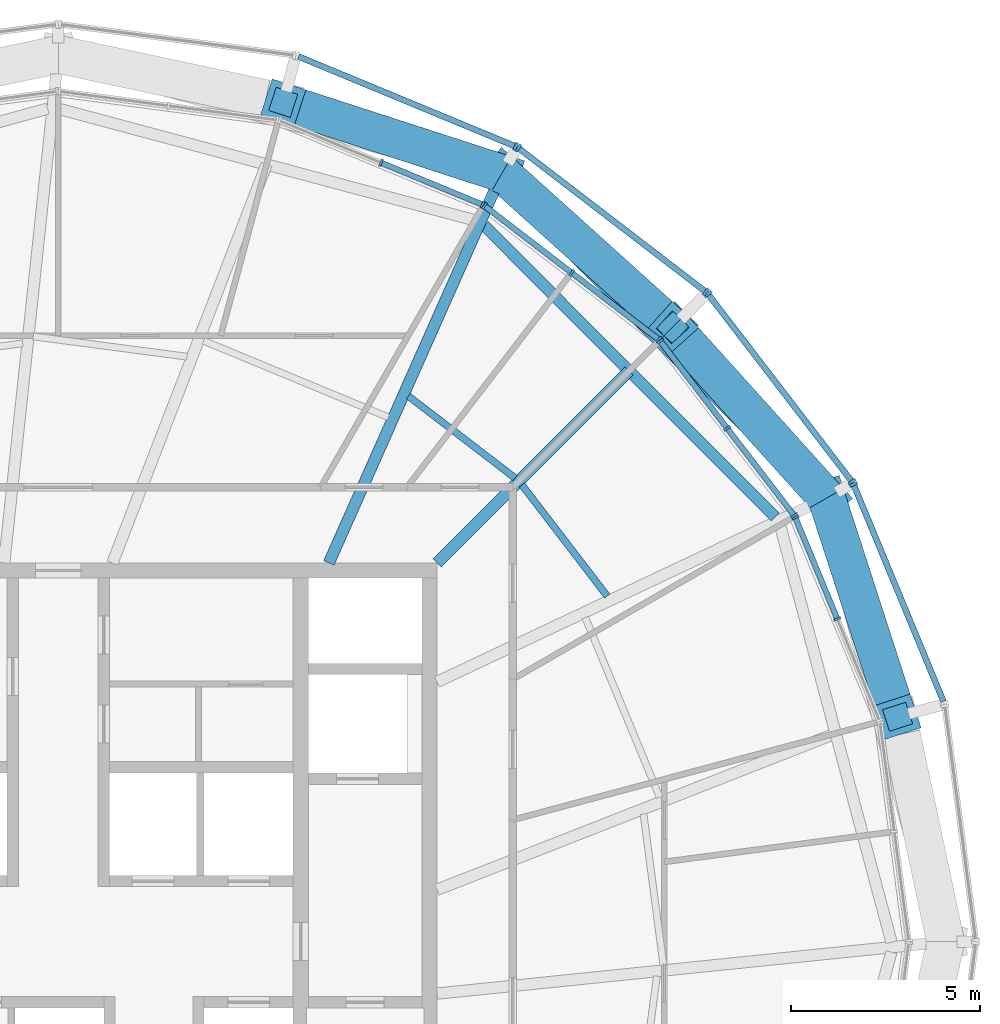
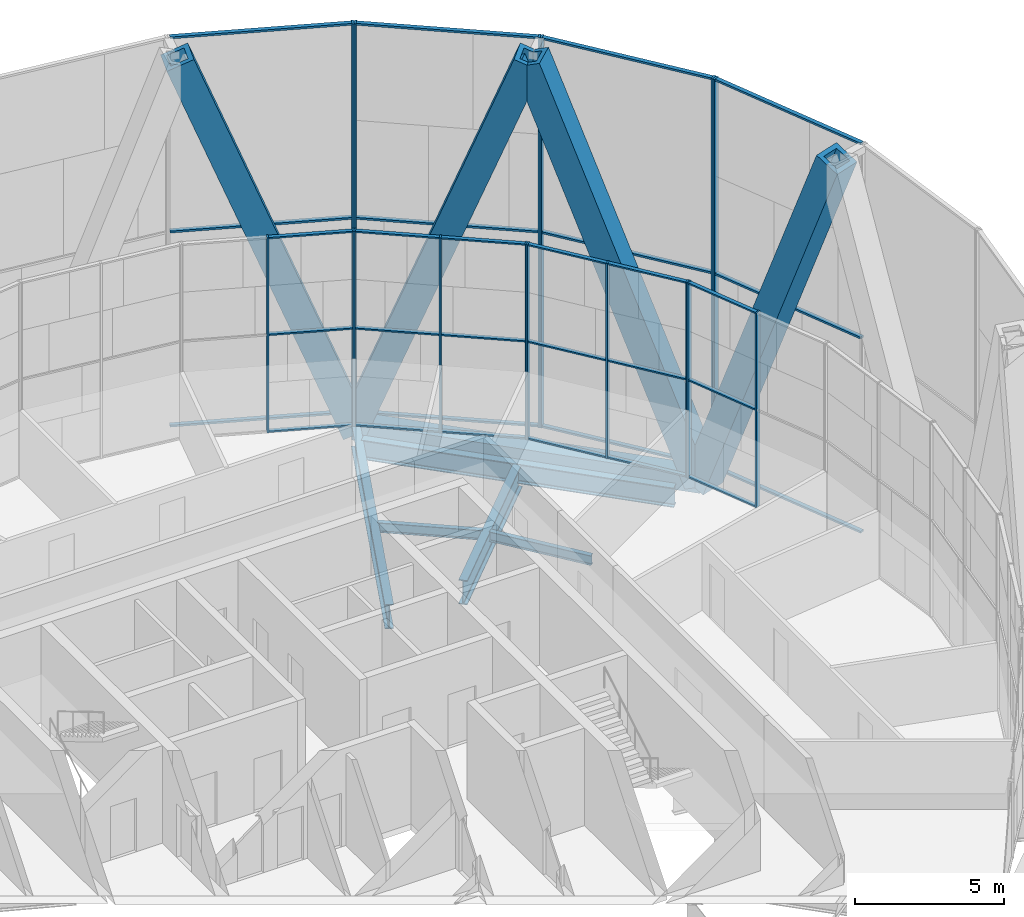
# One storey, part 8 of 22: 50 members, 6 beams, 8 elements without a shape of their own.
"""IFC4 building model written with IfcOpenShell, lengths in metres."""

from ifc_helpers import new_model, si_unit, direction, frame, origin, origin_2d, place, context, subcontext, project, spatial, rectangle, hollow_rectangle, i_section, extrude, material, material_profile, profile_set, type_object, element, aggregate, save


model = new_model("IFC4")

# Units and contexts
model_context = context("Model", 3, precision=1e-05, world=origin(), true_north=direction((0.0, 1.0)))
body_context = subcontext(model_context, "Body", "Model", "MODEL_VIEW")
ifc_project = project(units=[si_unit("LENGTHUNIT", "METRE"), si_unit("AREAUNIT", "SQUARE_METRE"), si_unit("VOLUMEUNIT", "CUBIC_METRE"), si_unit("PLANEANGLEUNIT", "RADIAN"), si_unit("MASSUNIT", "GRAM", prefix="KILO")], contexts=[model_context])

# Site, building, storey
site_placement = place(None, origin())
site = spatial("IfcSite", under=ifc_project, at=site_placement, CompositionType="ELEMENT")
building_placement = place(site_placement, origin())
building = spatial("IfcBuilding", under=site, at=building_placement, Name="Golbaran Civic Tower", CompositionType="ELEMENT")
storey_placement = place(building_placement, frame((0.0, 0.0, 248.0)))
storey = spatial("IfcBuildingStorey", under=building, at=storey_placement, Name="L60", CompositionType="ELEMENT", Elevation=248.0)

# Members
ifc_material_1 = material(Name="Steel S355", Category="steel")
ifc_material_profile_1 = material_profile(ifc_material_1, hollow_rectangle(XDim=1.0, YDim=1.0, WallThickness=0.179931640625, at=origin_2d()), Name="BOX 1000x1000x180")
ifc_profile_set_1 = profile_set([ifc_material_profile_1], Name="Steel S355")
member_type_1 = type_object("IfcMemberType", Name="DIAGRID DIAGONAL BOX 1000x1000x180", PredefinedType="BRACE", material=ifc_profile_set_1)
for number, where, z_axis, x_axis, name in (
    (1, (20.284912109375, 11.71142578125, -0.7099609375), (-0.237551283293, 0.263444958098, 0.934968524528), (-0.742661884104, -0.669666578156, 0.0), "Diagonal D14-01R L60-L64"),
    (2, (20.284912109375, 11.71142578125, -0.7099609375), (0.109367082262, -0.337445812256, 0.934970141292), (0.951284682379, 0.30831388725, 0.0), "Diagonal D14-01L L60-L64"),
    (3, (11.71142578125, 20.284912109375, -0.7099609375), (-0.337445812256, 0.109367082262, 0.934970141292), (-0.30831388725, -0.951284682379, 0.0), "Diagonal D14-02R L60-L64"),
    (4, (11.71142578125, 20.284912109375, -0.7099609375), (0.263444958098, -0.237551283293, 0.934968524528), (0.669666578156, 0.742661884104, 0.0), "Diagonal D14-02L L60-L64"),
):
    element("IfcMember", number, at=place(storey_placement, frame(where, z_axis=z_axis, x_axis=x_axis)), inside=storey, type_object=member_type_1, Name=name, PredefinedType="BRACE", context=body_context, shape_type="SweptSolid", body=[
        extrude(hollow_rectangle(XDim=1.0, YDim=1.0, WallThickness=0.179931640625, at=origin_2d()), origin(), (0.0, 0.0, 1.0), 17.11279296875),
    ])

# Beams
ifc_material_profile_2 = material_profile(ifc_material_1, hollow_rectangle(XDim=0.699951171875, YDim=0.699951171875, WallThickness=0.080078125, at=origin_2d()), Name="BOX 700x700x80")
ifc_profile_set_2 = profile_set([ifc_material_profile_2], Name="Steel S355")
beam_type_1 = type_object("IfcBeamType", Name="DIAGRID RING TIE BOX 700x700x80", PredefinedType="BEAM", material=ifc_profile_set_2)
beam_1_placement = place(storey_placement, frame((20.284912109375, 11.71142578125, -0.7099609375), z_axis=(-0.707106781187, 0.707106781187, 0.0), x_axis=(-0.707106781187, -0.707106781187, 0.0)))
element("IfcBeam", 5, at=beam_1_placement, inside=storey, type_object=beam_type_1, Name="Ring tie 30.00 L60", PredefinedType="BEAM", context=body_context, shape_type="SweptSolid", body=[
    extrude(hollow_rectangle(XDim=0.699951171875, YDim=0.699951171875, WallThickness=0.080078125, at=origin_2d()), origin(), (0.0, 0.0, 1.0), 12.124755859375),
])
ifc_material_profile_3 = material_profile(ifc_material_1, i_section(OverallWidth=0.300048828125, OverallDepth=0.800048828125, WebThickness=0.017578125, FlangeThickness=0.032958984375, FilletRadius=0.030029296875, at=origin_2d()), Name="HEB 800")
ifc_profile_set_3 = profile_set([ifc_material_profile_3], Name="Steel S355")
beam_type_2 = type_object("IfcBeamType", Name="EDGE BEAM HEB 800", PredefinedType="BEAM", material=ifc_profile_set_3)
beam_2_placement = place(storey_placement, frame((18.9228515625, 11.21240234375, -0.60009765625), z_axis=(-0.70659009574, 0.707623089365, 0.0), x_axis=(-0.707623089365, -0.70659009574, 0.0)))
element("IfcBeam", 6, at=beam_2_placement, inside=storey, type_object=beam_type_2, Name="Edge beam 30.00 L60", PredefinedType="BEAM", context=body_context, shape_type="SweptSolid", body=[
    extrude(i_section(OverallWidth=0.300048828125, OverallDepth=0.800048828125, WebThickness=0.017578125, FlangeThickness=0.032958984375, FilletRadius=0.030029296875, at=origin_2d()), origin(), (0.0, 0.0, 1.0), 10.871826171875),
])
ifc_material_profile_4 = material_profile(ifc_material_1, i_section(OverallWidth=0.179931640625, OverallDepth=0.39990234375, WebThickness=0.008544921875, FlangeThickness=0.013427734375, FilletRadius=0.02099609375, at=origin_2d()), Name="IPE 400")
ifc_profile_set_4 = profile_set([ifc_material_profile_4], Name="Steel S355")
beam_type_3 = type_object("IfcBeamType", Name="FLOOR INFILL BEAM IPE 400", PredefinedType="BEAM", material=ifc_profile_set_4)
beam_3_placement = place(storey_placement, frame((14.491943359375, 9.12109375, -0.39990234375), z_axis=(-0.608801399042, 0.793322668606, 0.0), x_axis=(-0.793322668606, -0.608801399042, 0.0)))
element("IfcBeam", 7, at=beam_3_placement, inside=storey, type_object=beam_type_3, Name="Infill beam 37.50 L60", PredefinedType="BEAM", context=body_context, shape_type="SweptSolid", body=[
    extrude(i_section(OverallWidth=0.179931640625, OverallDepth=0.39990234375, WebThickness=0.008544921875, FlangeThickness=0.013427734375, FilletRadius=0.02099609375, at=origin_2d()), origin(), (0.0, 0.0, 1.0), 3.699462890625),
])
beam_4_placement = place(storey_placement, frame((12.057373046875, 12.2412109375, -0.39990234375), z_axis=(-0.793341764816, 0.608776514165, 0.0), x_axis=(-0.608776514165, -0.793341764816, 0.0)))
element("IfcBeam", 8, at=beam_4_placement, inside=storey, type_object=beam_type_3, Name="Infill beam 52.50 L60", PredefinedType="BEAM", context=body_context, shape_type="SweptSolid", body=[
    extrude(i_section(OverallWidth=0.179931640625, OverallDepth=0.39990234375, WebThickness=0.008544921875, FlangeThickness=0.013427734375, FilletRadius=0.02099609375, at=origin_2d()), origin(), (0.0, 0.0, 1.0), 3.55029296875),
])

# Curtain wall, members
ifc_material_2 = material(Name="Aluminium and glass", Category="aluminium")
curtain_wall_type_1 = type_object("IfcCurtainWallType", Name="INNER SKIN CURTAIN WALL EXECUTIVE", PredefinedType="NOTDEFINED", material=ifc_material_2)
curtain_wall_1_placement = place(storey_placement, origin())
curtain_wall_1 = element("IfcCurtainWall", 9, at=curtain_wall_1_placement, inside=storey, type_object=curtain_wall_type_1, Name="Inner skin L60 facet 2 CW2", ObjectType="INNER SKIN", PredefinedType="USERDEFINED")
ifc_material_3 = material(Name="Aluminium", Category="aluminium")
ifc_material_profile_5 = material_profile(ifc_material_3, rectangle(XDim=0.199951171875, YDim=0.06005859375, at=origin_2d()), Name="INNER SKIN CURTAIN WALL EXECUTIVE MULLION")
ifc_profile_set_5 = profile_set([ifc_material_profile_5], Name="Aluminium")
member_type_2 = type_object("IfcMemberType", Name="INNER SKIN CURTAIN WALL EXECUTIVE MULLION", PredefinedType="MULLION", material=ifc_profile_set_5)
member_1_placement = place(storey_placement, frame((20.5654296875, 8.5185546875, 0.0), z_axis=(0.0, 0.0, 1.0), x_axis=(-0.923879532505, -0.382683432381, 0.0)))
member_1 = element("IfcMember", 10, at=member_1_placement, type_object=member_type_2, Name="CW2 mullion 2", PredefinedType="MULLION", context=body_context, shape_type="SweptSolid", body=[
    extrude(rectangle(XDim=0.199951171875, YDim=0.06005859375, at=origin_2d()), origin(), (0.0, 0.0, 1.0), 8.0),
])
member_2_placement = place(storey_placement, frame((19.45556640625, 11.1982421875, 0.0), z_axis=(0.0, 0.0, 1.0), x_axis=(-0.923879532505, -0.382683432381, 0.0)))
member_2 = element("IfcMember", 11, at=member_2_placement, type_object=member_type_2, Name="CW2 mullion 3", PredefinedType="MULLION", context=body_context, shape_type="SweptSolid", body=[
    extrude(rectangle(XDim=0.199951171875, YDim=0.06005859375, at=origin_2d()), origin(), (0.0, 0.0, 1.0), 8.0),
])

curtain_wall_2_placement = place(storey_placement, origin())
curtain_wall_2 = element("IfcCurtainWall", 12, at=curtain_wall_2_placement, inside=storey, type_object=curtain_wall_type_1, Name="Inner skin L60 facet 3 CW2", ObjectType="INNER SKIN", PredefinedType="USERDEFINED")
member_3_placement = place(storey_placement, frame((19.42578125, 11.249755859375, 0.0), z_axis=(0.0, 0.0, 1.0), x_axis=(-0.793353340238, -0.608761429078, 0.0)))
member_3 = element("IfcMember", 13, at=member_3_placement, type_object=member_type_2, Name="CW2 mullion 1", PredefinedType="MULLION", context=body_context, shape_type="SweptSolid", body=[
    extrude(rectangle(XDim=0.199951171875, YDim=0.06005859375, at=origin_2d()), origin(), (0.0, 0.0, 1.0), 8.0),
])
member_4_placement = place(storey_placement, frame((17.659912109375, 13.551025390625, 0.0), z_axis=(0.0, 0.0, 1.0), x_axis=(-0.793353340238, -0.608761429078, 0.0)))
member_4 = element("IfcMember", 14, at=member_4_placement, type_object=member_type_2, Name="CW2 mullion 2", PredefinedType="MULLION", context=body_context, shape_type="SweptSolid", body=[
    extrude(rectangle(XDim=0.199951171875, YDim=0.06005859375, at=origin_2d()), origin(), (0.0, 0.0, 1.0), 8.0),
])
member_5_placement = place(storey_placement, frame((15.894287109375, 15.85205078125, 0.0), z_axis=(0.0, 0.0, 1.0), x_axis=(-0.793353340238, -0.608761429078, 0.0)))
member_5 = element("IfcMember", 15, at=member_5_placement, type_object=member_type_2, Name="CW2 mullion 3", PredefinedType="MULLION", context=body_context, shape_type="SweptSolid", body=[
    extrude(rectangle(XDim=0.199951171875, YDim=0.06005859375, at=origin_2d()), origin(), (0.0, 0.0, 1.0), 8.0),
])

curtain_wall_3_placement = place(storey_placement, origin())
curtain_wall_3 = element("IfcCurtainWall", 16, at=curtain_wall_3_placement, inside=storey, type_object=curtain_wall_type_1, Name="Inner skin L60 facet 4 CW2", ObjectType="INNER SKIN", PredefinedType="USERDEFINED")
member_6_placement = place(storey_placement, frame((15.85205078125, 15.894287109375, 0.0), z_axis=(0.0, 0.0, 1.0), x_axis=(-0.608761429078, -0.793353340238, 0.0)))
member_6 = element("IfcMember", 17, at=member_6_placement, type_object=member_type_2, Name="CW2 mullion 1", PredefinedType="MULLION", context=body_context, shape_type="SweptSolid", body=[
    extrude(rectangle(XDim=0.199951171875, YDim=0.06005859375, at=origin_2d()), origin(), (0.0, 0.0, 1.0), 8.0),
])
member_7_placement = place(storey_placement, frame((13.551025390625, 17.659912109375, 0.0), z_axis=(0.0, 0.0, 1.0), x_axis=(-0.608761429078, -0.793353340238, 0.0)))
member_7 = element("IfcMember", 18, at=member_7_placement, type_object=member_type_2, Name="CW2 mullion 2", PredefinedType="MULLION", context=body_context, shape_type="SweptSolid", body=[
    extrude(rectangle(XDim=0.199951171875, YDim=0.06005859375, at=origin_2d()), origin(), (0.0, 0.0, 1.0), 8.0),
])
member_8_placement = place(storey_placement, frame((11.249755859375, 19.42578125, 0.0), z_axis=(0.0, 0.0, 1.0), x_axis=(-0.608761429078, -0.793353340238, 0.0)))
member_8 = element("IfcMember", 19, at=member_8_placement, type_object=member_type_2, Name="CW2 mullion 3", PredefinedType="MULLION", context=body_context, shape_type="SweptSolid", body=[
    extrude(rectangle(XDim=0.199951171875, YDim=0.06005859375, at=origin_2d()), origin(), (0.0, 0.0, 1.0), 8.0),
])

curtain_wall_4_placement = place(storey_placement, origin())
curtain_wall_4 = element("IfcCurtainWall", 20, at=curtain_wall_4_placement, inside=storey, type_object=curtain_wall_type_1, Name="Inner skin L60 facet 5 CW2", ObjectType="INNER SKIN", PredefinedType="USERDEFINED")
member_9_placement = place(storey_placement, frame((11.1982421875, 19.45556640625, 0.0), z_axis=(0.0, 0.0, 1.0), x_axis=(-0.382683432381, -0.923879532505, 0.0)))
member_9 = element("IfcMember", 21, at=member_9_placement, type_object=member_type_2, Name="CW2 mullion 1", PredefinedType="MULLION", context=body_context, shape_type="SweptSolid", body=[
    extrude(rectangle(XDim=0.199951171875, YDim=0.06005859375, at=origin_2d()), origin(), (0.0, 0.0, 1.0), 8.0),
])
member_10_placement = place(storey_placement, frame((8.5185546875, 20.5654296875, 0.0), z_axis=(0.0, 0.0, 1.0), x_axis=(-0.382683432381, -0.923879532505, 0.0)))
member_10 = element("IfcMember", 22, at=member_10_placement, type_object=member_type_2, Name="CW2 mullion 2", PredefinedType="MULLION", context=body_context, shape_type="SweptSolid", body=[
    extrude(rectangle(XDim=0.199951171875, YDim=0.06005859375, at=origin_2d()), origin(), (0.0, 0.0, 1.0), 8.0),
])

# Member
ifc_material_profile_6 = material_profile(ifc_material_3, rectangle(XDim=0.14990234375, YDim=0.06005859375, at=origin_2d()), Name="INNER SKIN CURTAIN WALL EXECUTIVE TRANSOM")
ifc_profile_set_6 = profile_set([ifc_material_profile_6], Name="Aluminium")
member_type_3 = type_object("IfcMemberType", Name="INNER SKIN CURTAIN WALL EXECUTIVE TRANSOM", PredefinedType="USERDEFINED", material=ifc_profile_set_6)
member_11_placement = place(storey_placement, frame((20.553955078125, 8.546142578125, 0.030029296875), z_axis=(-0.382625053438, 0.923903711694, 0.0), x_axis=(-0.923903711694, -0.382625053438, 0.0)))
member_11 = element("IfcMember", 23, at=member_11_placement, type_object=member_type_3, Name="CW2 transom 2.1", ObjectType="TRANSOM", PredefinedType="USERDEFINED", context=body_context, shape_type="SweptSolid", body=[
    extrude(rectangle(XDim=0.14990234375, YDim=0.06005859375, at=origin_2d()), origin(), (0.0, 0.0, 1.0), 2.840576171875),
])

member_12_placement = place(storey_placement, frame((20.553955078125, 8.546142578125, 4.0), z_axis=(-0.382625053438, 0.923903711694, 0.0), x_axis=(-0.923903711694, -0.382625053438, 0.0)))
member_12 = element("IfcMember", 24, at=member_12_placement, type_object=member_type_3, Name="CW2 transom 2.2", ObjectType="TRANSOM", PredefinedType="USERDEFINED", context=body_context, shape_type="SweptSolid", body=[
    extrude(rectangle(XDim=0.14990234375, YDim=0.06005859375, at=origin_2d()), origin(), (0.0, 0.0, 1.0), 2.840576171875),
])

member_13_placement = place(storey_placement, frame((20.553955078125, 8.546142578125, 7.969970703125), z_axis=(-0.382625053438, 0.923903711694, 0.0), x_axis=(-0.923903711694, -0.382625053438, 0.0)))
member_13 = element("IfcMember", 25, at=member_13_placement, type_object=member_type_3, Name="CW2 transom 2.3", ObjectType="TRANSOM", PredefinedType="USERDEFINED", context=body_context, shape_type="SweptSolid", body=[
    extrude(rectangle(XDim=0.14990234375, YDim=0.06005859375, at=origin_2d()), origin(), (0.0, 0.0, 1.0), 2.840576171875),
])

aggregate(curtain_wall_1, [member_1, member_2, member_11, member_12, member_13])

member_14_placement = place(storey_placement, frame((19.407470703125, 11.273681640625, 0.030029296875), z_axis=(-0.608792367533, 0.793329599368, 0.0), x_axis=(-0.793329599368, -0.608792367533, 0.0)))
member_14 = element("IfcMember", 26, at=member_14_placement, type_object=member_type_3, Name="CW2 transom 1.1", ObjectType="TRANSOM", PredefinedType="USERDEFINED", context=body_context, shape_type="SweptSolid", body=[
    extrude(rectangle(XDim=0.14990234375, YDim=0.06005859375, at=origin_2d()), origin(), (0.0, 0.0, 1.0), 2.840576171875),
])

member_15_placement = place(storey_placement, frame((19.407470703125, 11.273681640625, 4.0), z_axis=(-0.608792367533, 0.793329599368, 0.0), x_axis=(-0.793329599368, -0.608792367533, 0.0)))
member_15 = element("IfcMember", 27, at=member_15_placement, type_object=member_type_3, Name="CW2 transom 1.2", ObjectType="TRANSOM", PredefinedType="USERDEFINED", context=body_context, shape_type="SweptSolid", body=[
    extrude(rectangle(XDim=0.14990234375, YDim=0.06005859375, at=origin_2d()), origin(), (0.0, 0.0, 1.0), 2.840576171875),
])

member_16_placement = place(storey_placement, frame((19.407470703125, 11.273681640625, 7.969970703125), z_axis=(-0.608792367533, 0.793329599368, 0.0), x_axis=(-0.793329599368, -0.608792367533, 0.0)))
member_16 = element("IfcMember", 28, at=member_16_placement, type_object=member_type_3, Name="CW2 transom 1.3", ObjectType="TRANSOM", PredefinedType="USERDEFINED", context=body_context, shape_type="SweptSolid", body=[
    extrude(rectangle(XDim=0.14990234375, YDim=0.06005859375, at=origin_2d()), origin(), (0.0, 0.0, 1.0), 2.840576171875),
])

member_17_placement = place(storey_placement, frame((17.6416015625, 13.57470703125, 0.030029296875), z_axis=(-0.608696757251, 0.793402960489, 0.0), x_axis=(-0.793402960489, -0.608696757251, 0.0)))
member_17 = element("IfcMember", 29, at=member_17_placement, type_object=member_type_3, Name="CW2 transom 2.1", ObjectType="TRANSOM", PredefinedType="USERDEFINED", context=body_context, shape_type="SweptSolid", body=[
    extrude(rectangle(XDim=0.14990234375, YDim=0.06005859375, at=origin_2d()), origin(), (0.0, 0.0, 1.0), 2.840576171875),
])

member_18_placement = place(storey_placement, frame((17.6416015625, 13.57470703125, 4.0), z_axis=(-0.608696757251, 0.793402960489, 0.0), x_axis=(-0.793402960489, -0.608696757251, 0.0)))
member_18 = element("IfcMember", 30, at=member_18_placement, type_object=member_type_3, Name="CW2 transom 2.2", ObjectType="TRANSOM", PredefinedType="USERDEFINED", context=body_context, shape_type="SweptSolid", body=[
    extrude(rectangle(XDim=0.14990234375, YDim=0.06005859375, at=origin_2d()), origin(), (0.0, 0.0, 1.0), 2.840576171875),
])

member_19_placement = place(storey_placement, frame((17.6416015625, 13.57470703125, 7.969970703125), z_axis=(-0.608696757251, 0.793402960489, 0.0), x_axis=(-0.793402960489, -0.608696757251, 0.0)))
member_19 = element("IfcMember", 31, at=member_19_placement, type_object=member_type_3, Name="CW2 transom 2.3", ObjectType="TRANSOM", PredefinedType="USERDEFINED", context=body_context, shape_type="SweptSolid", body=[
    extrude(rectangle(XDim=0.14990234375, YDim=0.06005859375, at=origin_2d()), origin(), (0.0, 0.0, 1.0), 2.840576171875),
])

aggregate(curtain_wall_2, [member_3, member_4, member_5, member_14, member_15, member_16, member_17, member_18, member_19])

member_20_placement = place(storey_placement, frame((15.828369140625, 15.91259765625, 0.030029296875), z_axis=(-0.793402960489, 0.608696757251, 0.0), x_axis=(-0.608696757251, -0.793402960489, 0.0)))
member_20 = element("IfcMember", 32, at=member_20_placement, type_object=member_type_3, Name="CW2 transom 1.1", ObjectType="TRANSOM", PredefinedType="USERDEFINED", context=body_context, shape_type="SweptSolid", body=[
    extrude(rectangle(XDim=0.14990234375, YDim=0.06005859375, at=origin_2d()), origin(), (0.0, 0.0, 1.0), 2.840576171875),
])

member_21_placement = place(storey_placement, frame((15.828369140625, 15.91259765625, 4.0), z_axis=(-0.793402960489, 0.608696757251, 0.0), x_axis=(-0.608696757251, -0.793402960489, 0.0)))
member_21 = element("IfcMember", 33, at=member_21_placement, type_object=member_type_3, Name="CW2 transom 1.2", ObjectType="TRANSOM", PredefinedType="USERDEFINED", context=body_context, shape_type="SweptSolid", body=[
    extrude(rectangle(XDim=0.14990234375, YDim=0.06005859375, at=origin_2d()), origin(), (0.0, 0.0, 1.0), 2.840576171875),
])

member_22_placement = place(storey_placement, frame((15.828369140625, 15.91259765625, 7.969970703125), z_axis=(-0.793402960489, 0.608696757251, 0.0), x_axis=(-0.608696757251, -0.793402960489, 0.0)))
member_22 = element("IfcMember", 34, at=member_22_placement, type_object=member_type_3, Name="CW2 transom 1.3", ObjectType="TRANSOM", PredefinedType="USERDEFINED", context=body_context, shape_type="SweptSolid", body=[
    extrude(rectangle(XDim=0.14990234375, YDim=0.06005859375, at=origin_2d()), origin(), (0.0, 0.0, 1.0), 2.840576171875),
])

member_23_placement = place(storey_placement, frame((13.527099609375, 17.67822265625, 0.030029296875), z_axis=(-0.793329599368, 0.608792367533, 0.0), x_axis=(-0.608792367533, -0.793329599368, 0.0)))
member_23 = element("IfcMember", 35, at=member_23_placement, type_object=member_type_3, Name="CW2 transom 2.1", ObjectType="TRANSOM", PredefinedType="USERDEFINED", context=body_context, shape_type="SweptSolid", body=[
    extrude(rectangle(XDim=0.14990234375, YDim=0.06005859375, at=origin_2d()), origin(), (0.0, 0.0, 1.0), 2.840576171875),
])

member_24_placement = place(storey_placement, frame((13.527099609375, 17.67822265625, 4.0), z_axis=(-0.793329599368, 0.608792367533, 0.0), x_axis=(-0.608792367533, -0.793329599368, 0.0)))
member_24 = element("IfcMember", 36, at=member_24_placement, type_object=member_type_3, Name="CW2 transom 2.2", ObjectType="TRANSOM", PredefinedType="USERDEFINED", context=body_context, shape_type="SweptSolid", body=[
    extrude(rectangle(XDim=0.14990234375, YDim=0.06005859375, at=origin_2d()), origin(), (0.0, 0.0, 1.0), 2.840576171875),
])

member_25_placement = place(storey_placement, frame((13.527099609375, 17.67822265625, 7.969970703125), z_axis=(-0.793329599368, 0.608792367533, 0.0), x_axis=(-0.608792367533, -0.793329599368, 0.0)))
member_25 = element("IfcMember", 37, at=member_25_placement, type_object=member_type_3, Name="CW2 transom 2.3", ObjectType="TRANSOM", PredefinedType="USERDEFINED", context=body_context, shape_type="SweptSolid", body=[
    extrude(rectangle(XDim=0.14990234375, YDim=0.06005859375, at=origin_2d()), origin(), (0.0, 0.0, 1.0), 2.840576171875),
])

aggregate(curtain_wall_3, [member_6, member_7, member_8, member_20, member_21, member_22, member_23, member_24, member_25])

member_26_placement = place(storey_placement, frame((11.170654296875, 19.467041015625, 0.030029296875), z_axis=(-0.923903711694, 0.382625053438, 0.0), x_axis=(-0.382625053438, -0.923903711694, 0.0)))
member_26 = element("IfcMember", 38, at=member_26_placement, type_object=member_type_3, Name="CW2 transom 1.1", ObjectType="TRANSOM", PredefinedType="USERDEFINED", context=body_context, shape_type="SweptSolid", body=[
    extrude(rectangle(XDim=0.14990234375, YDim=0.06005859375, at=origin_2d()), origin(), (0.0, 0.0, 1.0), 2.840576171875),
])

member_27_placement = place(storey_placement, frame((11.170654296875, 19.467041015625, 4.0), z_axis=(-0.923903711694, 0.382625053438, 0.0), x_axis=(-0.382625053438, -0.923903711694, 0.0)))
member_27 = element("IfcMember", 39, at=member_27_placement, type_object=member_type_3, Name="CW2 transom 1.2", ObjectType="TRANSOM", PredefinedType="USERDEFINED", context=body_context, shape_type="SweptSolid", body=[
    extrude(rectangle(XDim=0.14990234375, YDim=0.06005859375, at=origin_2d()), origin(), (0.0, 0.0, 1.0), 2.840576171875),
])

member_28_placement = place(storey_placement, frame((11.170654296875, 19.467041015625, 7.969970703125), z_axis=(-0.923903711694, 0.382625053438, 0.0), x_axis=(-0.382625053438, -0.923903711694, 0.0)))
member_28 = element("IfcMember", 40, at=member_28_placement, type_object=member_type_3, Name="CW2 transom 1.3", ObjectType="TRANSOM", PredefinedType="USERDEFINED", context=body_context, shape_type="SweptSolid", body=[
    extrude(rectangle(XDim=0.14990234375, YDim=0.06005859375, at=origin_2d()), origin(), (0.0, 0.0, 1.0), 2.840576171875),
])

aggregate(curtain_wall_4, [member_9, member_10, member_26, member_27, member_28])

# Curtain wall, member
curtain_wall_type_2 = type_object("IfcCurtainWallType", Name="OUTER SKIN TERRACOTTA SCREEN", PredefinedType="NOTDEFINED", material=ifc_material_2)
curtain_wall_5_placement = place(storey_placement, origin())
curtain_wall_5 = element("IfcCurtainWall", 41, at=curtain_wall_5_placement, inside=storey, type_object=curtain_wall_type_2, Name="Outer skin L60 facet 2 CW3", ObjectType="OUTER SKIN", PredefinedType="USERDEFINED")
ifc_material_profile_7 = material_profile(ifc_material_3, rectangle(XDim=0.219970703125, YDim=0.080078125, at=origin_2d()), Name="OUTER SKIN TERRACOTTA SCREEN MULLION")
ifc_profile_set_7 = profile_set([ifc_material_profile_7], Name="Aluminium")
member_type_4 = type_object("IfcMemberType", Name="OUTER SKIN TERRACOTTA SCREEN MULLION", PredefinedType="MULLION", material=ifc_profile_set_7)
member_29_placement = place(storey_placement, frame((20.992919921875, 12.074462890625, -0.7099609375), z_axis=(0.0, 0.0, 1.0), x_axis=(-0.923879532518, -0.382683432349, 0.0)))
member_29 = element("IfcMember", 42, at=member_29_placement, type_object=member_type_4, Name="CW3 mullion 2", PredefinedType="MULLION", context=body_context, shape_type="SweptSolid", body=[
    extrude(rectangle(XDim=0.219970703125, YDim=0.080078125, at=origin_2d()), origin(), (0.0, 0.0, 1.0), 16.0),
])

# Curtain wall, members
curtain_wall_6_placement = place(storey_placement, origin())
curtain_wall_6 = element("IfcCurtainWall", 43, at=curtain_wall_6_placement, inside=storey, type_object=curtain_wall_type_2, Name="Outer skin L60 facet 3 CW3", ObjectType="OUTER SKIN", PredefinedType="USERDEFINED")
member_30_placement = place(storey_placement, frame((20.953369140625, 12.143310546875, -0.7099609375), z_axis=(0.0, 0.0, 1.0), x_axis=(-0.793353340323, -0.608761428967, 0.0)))
member_30 = element("IfcMember", 44, at=member_30_placement, type_object=member_type_4, Name="CW3 mullion 1", PredefinedType="MULLION", context=body_context, shape_type="SweptSolid", body=[
    extrude(rectangle(XDim=0.219970703125, YDim=0.080078125, at=origin_2d()), origin(), (0.0, 0.0, 1.0), 16.0),
])
member_31_placement = place(storey_placement, frame((17.152587890625, 17.096435546875, -0.7099609375), z_axis=(0.0, 0.0, 1.0), x_axis=(-0.793353340323, -0.608761428967, 0.0)))
member_31 = element("IfcMember", 45, at=member_31_placement, type_object=member_type_4, Name="CW3 mullion 2", PredefinedType="MULLION", context=body_context, shape_type="SweptSolid", body=[
    extrude(rectangle(XDim=0.219970703125, YDim=0.080078125, at=origin_2d()), origin(), (0.0, 0.0, 1.0), 16.0),
])

curtain_wall_7_placement = place(storey_placement, origin())
curtain_wall_7 = element("IfcCurtainWall", 46, at=curtain_wall_7_placement, inside=storey, type_object=curtain_wall_type_2, Name="Outer skin L60 facet 4 CW3", ObjectType="OUTER SKIN", PredefinedType="USERDEFINED")
member_32_placement = place(storey_placement, frame((17.096435546875, 17.152587890625, -0.7099609375), z_axis=(0.0, 0.0, 1.0), x_axis=(-0.608761428967, -0.793353340323, 0.0)))
member_32 = element("IfcMember", 47, at=member_32_placement, type_object=member_type_4, Name="CW3 mullion 1", PredefinedType="MULLION", context=body_context, shape_type="SweptSolid", body=[
    extrude(rectangle(XDim=0.219970703125, YDim=0.080078125, at=origin_2d()), origin(), (0.0, 0.0, 1.0), 16.0),
])
member_33_placement = place(storey_placement, frame((12.143310546875, 20.953369140625, -0.7099609375), z_axis=(0.0, 0.0, 1.0), x_axis=(-0.608761428967, -0.793353340323, 0.0)))
member_33 = element("IfcMember", 48, at=member_33_placement, type_object=member_type_4, Name="CW3 mullion 2", PredefinedType="MULLION", context=body_context, shape_type="SweptSolid", body=[
    extrude(rectangle(XDim=0.219970703125, YDim=0.080078125, at=origin_2d()), origin(), (0.0, 0.0, 1.0), 16.0),
])

# Curtain wall, member
curtain_wall_8_placement = place(storey_placement, origin())
curtain_wall_8 = element("IfcCurtainWall", 49, at=curtain_wall_8_placement, inside=storey, type_object=curtain_wall_type_2, Name="Outer skin L60 facet 5 CW3", ObjectType="OUTER SKIN", PredefinedType="USERDEFINED")
member_34_placement = place(storey_placement, frame((12.074462890625, 20.992919921875, -0.7099609375), z_axis=(0.0, 0.0, 1.0), x_axis=(-0.382683432349, -0.923879532518, 0.0)))
member_34 = element("IfcMember", 50, at=member_34_placement, type_object=member_type_4, Name="CW3 mullion 1", PredefinedType="MULLION", context=body_context, shape_type="SweptSolid", body=[
    extrude(rectangle(XDim=0.219970703125, YDim=0.080078125, at=origin_2d()), origin(), (0.0, 0.0, 1.0), 16.0),
])

# Member
ifc_material_profile_8 = material_profile(ifc_material_3, rectangle(XDim=0.159912109375, YDim=0.080078125, at=origin_2d()), Name="OUTER SKIN TERRACOTTA SCREEN TRANSOM")
ifc_profile_set_8 = profile_set([ifc_material_profile_8], Name="Aluminium")
member_type_5 = type_object("IfcMemberType", Name="OUTER SKIN TERRACOTTA SCREEN TRANSOM", PredefinedType="USERDEFINED", material=ifc_profile_set_8)
member_35_placement = place(storey_placement, frame((23.366943359375, 6.34326171875, -0.669921875), z_axis=(-0.38267947225, 0.923881172835, 0.0), x_axis=(-0.923881172835, -0.38267947225, 0.0)))
member_35 = element("IfcMember", 51, at=member_35_placement, type_object=member_type_5, Name="CW3 transom 1.1", ObjectType="TRANSOM", PredefinedType="USERDEFINED", context=body_context, shape_type="SweptSolid", body=[
    extrude(rectangle(XDim=0.159912109375, YDim=0.080078125, at=origin_2d()), origin(), (0.0, 0.0, 1.0), 6.16357421875),
])

member_36_placement = place(storey_placement, frame((23.366943359375, 6.34326171875, 7.2900390625), z_axis=(-0.38267947225, 0.923881172835, 0.0), x_axis=(-0.923881172835, -0.38267947225, 0.0)))
member_36 = element("IfcMember", 52, at=member_36_placement, type_object=member_type_5, Name="CW3 transom 1.2", ObjectType="TRANSOM", PredefinedType="USERDEFINED", context=body_context, shape_type="SweptSolid", body=[
    extrude(rectangle(XDim=0.159912109375, YDim=0.080078125, at=origin_2d()), origin(), (0.0, 0.0, 1.0), 6.16357421875),
])

member_37_placement = place(storey_placement, frame((23.366943359375, 6.34326171875, 15.25), z_axis=(-0.38267947225, 0.923881172835, 0.0), x_axis=(-0.923881172835, -0.38267947225, 0.0)))
member_37 = element("IfcMember", 53, at=member_37_placement, type_object=member_type_5, Name="CW3 transom 1.3", ObjectType="TRANSOM", PredefinedType="USERDEFINED", context=body_context, shape_type="SweptSolid", body=[
    extrude(rectangle(XDim=0.159912109375, YDim=0.080078125, at=origin_2d()), origin(), (0.0, 0.0, 1.0), 6.16357421875),
])

aggregate(curtain_wall_5, [member_29, member_35, member_36, member_37])

member_38_placement = place(storey_placement, frame((20.928955078125, 12.175048828125, -0.669921875), z_axis=(-0.608760807814, 0.79335381695, 0.0), x_axis=(-0.79335381695, -0.608760807814, 0.0)))
member_38 = element("IfcMember", 54, at=member_38_placement, type_object=member_type_5, Name="CW3 transom 1.1", ObjectType="TRANSOM", PredefinedType="USERDEFINED", context=body_context, shape_type="SweptSolid", body=[
    extrude(rectangle(XDim=0.159912109375, YDim=0.080078125, at=origin_2d()), origin(), (0.0, 0.0, 1.0), 6.163330078125),
])

member_39_placement = place(storey_placement, frame((20.928955078125, 12.175048828125, 7.2900390625), z_axis=(-0.608760807814, 0.79335381695, 0.0), x_axis=(-0.79335381695, -0.608760807814, 0.0)))
member_39 = element("IfcMember", 55, at=member_39_placement, type_object=member_type_5, Name="CW3 transom 1.2", ObjectType="TRANSOM", PredefinedType="USERDEFINED", context=body_context, shape_type="SweptSolid", body=[
    extrude(rectangle(XDim=0.159912109375, YDim=0.080078125, at=origin_2d()), origin(), (0.0, 0.0, 1.0), 6.163330078125),
])

member_40_placement = place(storey_placement, frame((20.928955078125, 12.175048828125, 15.25), z_axis=(-0.608760807814, 0.79335381695, 0.0), x_axis=(-0.79335381695, -0.608760807814, 0.0)))
member_40 = element("IfcMember", 56, at=member_40_placement, type_object=member_type_5, Name="CW3 transom 1.3", ObjectType="TRANSOM", PredefinedType="USERDEFINED", context=body_context, shape_type="SweptSolid", body=[
    extrude(rectangle(XDim=0.159912109375, YDim=0.080078125, at=origin_2d()), origin(), (0.0, 0.0, 1.0), 6.163330078125),
])

aggregate(curtain_wall_6, [member_30, member_31, member_38, member_39, member_40])

member_41_placement = place(storey_placement, frame((17.064697265625, 17.177001953125, -0.669921875), z_axis=(-0.79335381695, 0.608760807814, 0.0), x_axis=(-0.608760807814, -0.79335381695, 0.0)))
member_41 = element("IfcMember", 57, at=member_41_placement, type_object=member_type_5, Name="CW3 transom 1.1", ObjectType="TRANSOM", PredefinedType="USERDEFINED", context=body_context, shape_type="SweptSolid", body=[
    extrude(rectangle(XDim=0.159912109375, YDim=0.080078125, at=origin_2d()), origin(), (0.0, 0.0, 1.0), 6.163330078125),
])

member_42_placement = place(storey_placement, frame((17.064697265625, 17.177001953125, 7.2900390625), z_axis=(-0.79335381695, 0.608760807814, 0.0), x_axis=(-0.608760807814, -0.79335381695, 0.0)))
member_42 = element("IfcMember", 58, at=member_42_placement, type_object=member_type_5, Name="CW3 transom 1.2", ObjectType="TRANSOM", PredefinedType="USERDEFINED", context=body_context, shape_type="SweptSolid", body=[
    extrude(rectangle(XDim=0.159912109375, YDim=0.080078125, at=origin_2d()), origin(), (0.0, 0.0, 1.0), 6.163330078125),
])

member_43_placement = place(storey_placement, frame((17.064697265625, 17.177001953125, 15.25), z_axis=(-0.79335381695, 0.608760807814, 0.0), x_axis=(-0.608760807814, -0.79335381695, 0.0)))
member_43 = element("IfcMember", 59, at=member_43_placement, type_object=member_type_5, Name="CW3 transom 1.3", ObjectType="TRANSOM", PredefinedType="USERDEFINED", context=body_context, shape_type="SweptSolid", body=[
    extrude(rectangle(XDim=0.159912109375, YDim=0.080078125, at=origin_2d()), origin(), (0.0, 0.0, 1.0), 6.163330078125),
])

aggregate(curtain_wall_7, [member_32, member_33, member_41, member_42, member_43])

member_44_placement = place(storey_placement, frame((12.03759765625, 21.00830078125, -0.669921875), z_axis=(-0.923881172835, 0.38267947225, 0.0), x_axis=(-0.38267947225, -0.923881172835, 0.0)))
member_44 = element("IfcMember", 60, at=member_44_placement, type_object=member_type_5, Name="CW3 transom 1.1", ObjectType="TRANSOM", PredefinedType="USERDEFINED", context=body_context, shape_type="SweptSolid", body=[
    extrude(rectangle(XDim=0.159912109375, YDim=0.080078125, at=origin_2d()), origin(), (0.0, 0.0, 1.0), 6.16357421875),
])

member_45_placement = place(storey_placement, frame((12.03759765625, 21.00830078125, 7.2900390625), z_axis=(-0.923881172835, 0.38267947225, 0.0), x_axis=(-0.38267947225, -0.923881172835, 0.0)))
member_45 = element("IfcMember", 61, at=member_45_placement, type_object=member_type_5, Name="CW3 transom 1.2", ObjectType="TRANSOM", PredefinedType="USERDEFINED", context=body_context, shape_type="SweptSolid", body=[
    extrude(rectangle(XDim=0.159912109375, YDim=0.080078125, at=origin_2d()), origin(), (0.0, 0.0, 1.0), 6.16357421875),
])

member_46_placement = place(storey_placement, frame((12.03759765625, 21.00830078125, 15.25), z_axis=(-0.923881172835, 0.38267947225, 0.0), x_axis=(-0.38267947225, -0.923881172835, 0.0)))
member_46 = element("IfcMember", 62, at=member_46_placement, type_object=member_type_5, Name="CW3 transom 1.3", ObjectType="TRANSOM", PredefinedType="USERDEFINED", context=body_context, shape_type="SweptSolid", body=[
    extrude(rectangle(XDim=0.159912109375, YDim=0.080078125, at=origin_2d()), origin(), (0.0, 0.0, 1.0), 6.16357421875),
])

aggregate(curtain_wall_8, [member_34, member_44, member_45, member_46])

# Beams
ifc_material_profile_9 = material_profile(ifc_material_1, i_section(OverallWidth=0.300048828125, OverallDepth=1.0, WebThickness=0.01904296875, FlangeThickness=0.035888671875, FilletRadius=0.030029296875, at=origin_2d()), Name="HEB 1000")
ifc_profile_set_9 = profile_set([ifc_material_profile_9], Name="Steel S355")
beam_type_4 = type_object("IfcBeamType", Name="RADIAL FLOOR BEAM HEB 1000", PredefinedType="BEAM", material=ifc_profile_set_9)
beam_5_placement = place(storey_placement, frame((7.142822265625, 10.0, -0.7099609375), z_axis=(0.405967427293, 0.91388754668, 0.0), x_axis=(-0.91388754668, 0.405967427293, 0.0)))
element("IfcBeam", 63, at=beam_5_placement, inside=storey, type_object=beam_type_4, Name="Radial beam 60.00 L60", PredefinedType="BEAM", context=body_context, shape_type="SweptSolid", body=[
    extrude(i_section(OverallWidth=0.300048828125, OverallDepth=1.0, WebThickness=0.01904296875, FlangeThickness=0.035888671875, FilletRadius=0.030029296875, at=origin_2d()), origin(), (0.0, 0.0, 1.0), 10.72802734375),
])
ifc_material_profile_10 = material_profile(ifc_material_1, i_section(OverallWidth=0.300048828125, OverallDepth=1.0, WebThickness=0.01904296875, FlangeThickness=0.035888671875, FilletRadius=0.030029296875, at=origin_2d()), Name="HEB 1000")
ifc_profile_set_10 = profile_set([ifc_material_profile_10], Name="Steel S355")
beam_type_5 = type_object("IfcBeamType", Name="SECONDARY FLOOR BEAM HEB 1000", PredefinedType="BEAM", material=ifc_profile_set_10)
beam_6_placement = place(storey_placement, frame((10.0, 10.0, -0.7099609375), z_axis=(0.707106781187, 0.707106781187, 0.0), x_axis=(-0.707106781187, 0.707106781187, 0.0)))
element("IfcBeam", 64, at=beam_6_placement, inside=storey, type_object=beam_type_5, Name="Secondary beam 45.00 L60", PredefinedType="BEAM", context=body_context, shape_type="SweptSolid", body=[
    extrude(i_section(OverallWidth=0.300048828125, OverallDepth=1.0, WebThickness=0.01904296875, FlangeThickness=0.035888671875, FilletRadius=0.030029296875, at=origin_2d()), origin(), (0.0, 0.0, 1.0), 7.1708984375),
])

save(model, "model.ifc")
